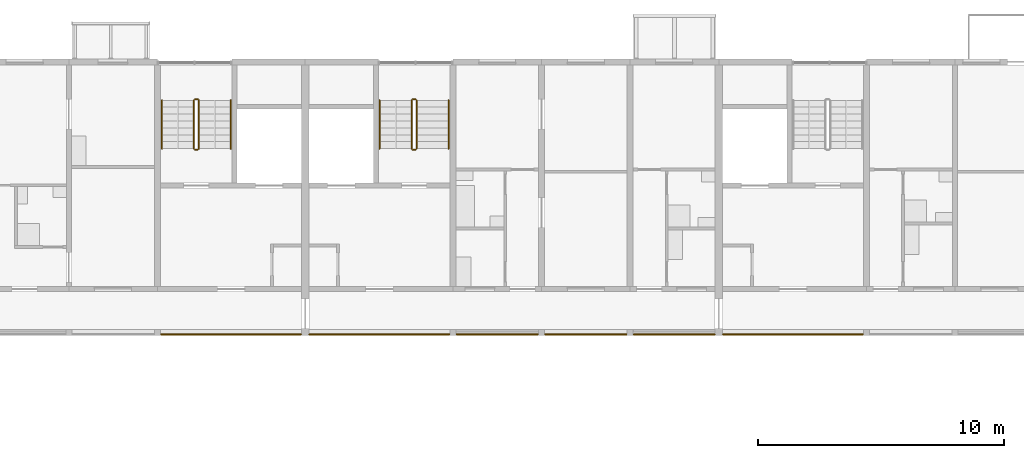
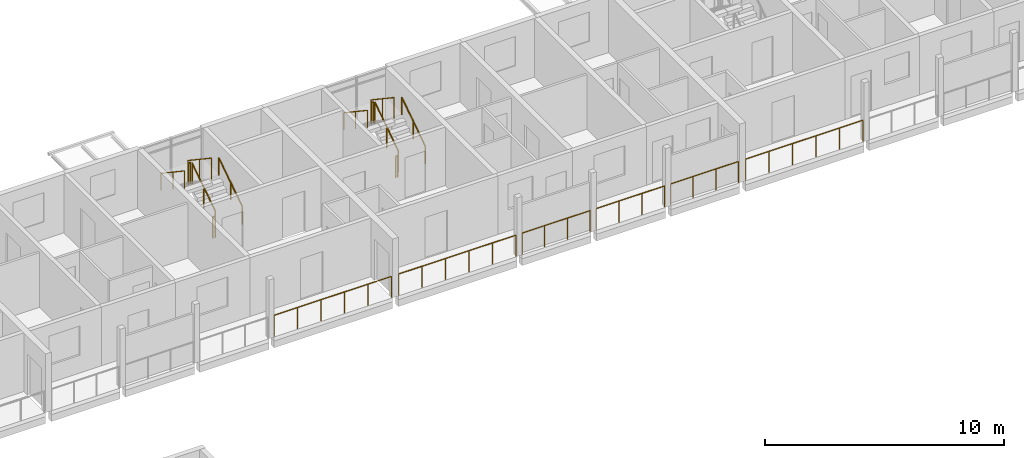
# One storey, part 110 of 115: 18 railings.
"""IFC4 building model written with IfcOpenShell, lengths in metres."""

from ifc_helpers import new_model, si_unit, direction, frame, origin, origin_2d, place, context, subcontext, project, spatial, circle, extrude, material, type_object, element, save


model = new_model("IFC4")

# Units and contexts
model_context = context("Model", 3, precision=1e-05, world=origin(), true_north=direction((0.0, 1.0)))
body_context = subcontext(model_context, "Body", "Model", "MODEL_VIEW")
ifc_project = project(units=[si_unit("LENGTHUNIT", "METRE"), si_unit("AREAUNIT", "SQUARE_METRE"), si_unit("VOLUMEUNIT", "CUBIC_METRE"), si_unit("PLANEANGLEUNIT", "RADIAN"), si_unit("MASSUNIT", "GRAM", prefix="KILO")], contexts=[model_context])

# Site, building, storey
site_placement = place(None, origin())
site = spatial("IfcSite", under=ifc_project, at=site_placement, CompositionType="ELEMENT")
building_placement = place(site_placement, origin())
building = spatial("IfcBuilding", under=site, at=building_placement, Name="Ridgestep Commons", CompositionType="ELEMENT")
storey_placement = place(building_placement, frame((0.0, 0.0, 6.0)))
storey = spatial("IfcBuildingStorey", under=building, at=storey_placement, Name="L02", CompositionType="ELEMENT", Elevation=6.0)

# Railings
ifc_material_1 = material(Name="Structural steel S355JR", Category="steel")
railing_type_1 = type_object("IfcRailingType", Name="Guard 1100", PredefinedType="GUARDRAIL", material=ifc_material_1)
railing_1_placement = place(storey_placement, frame((174.5458984375, 66.050048828125, 0.0)))
element("IfcRailing", 1, at=railing_1_placement, inside=storey, type_object=railing_type_1, Name="Gallery guard C 02.8", PredefinedType="GUARDRAIL", context=body_context, shape_type="SweptSolid", body=[
    extrude(circle(Radius=0.02392578125, at=origin_2d()), frame((0.0, 0.0, 1.076171875), z_axis=(1.0, 0.0, 0.0), x_axis=(0.0, 1.0, 0.0)), (0.0, 0.0, 1.0), 5.68310546875),
    extrude(circle(Radius=0.02099609375, at=origin_2d()), origin(), (0.0, 0.0, 1.0), 1.052001953125),
    extrude(circle(Radius=0.02099609375, at=origin_2d()), frame((1.13671875, 0.0, 0.0)), (0.0, 0.0, 1.0), 1.052001953125),
    extrude(circle(Radius=0.02099609375, at=origin_2d()), frame((2.273193359375, 0.0, 0.0)), (0.0, 0.0, 1.0), 1.052001953125),
    extrude(circle(Radius=0.02099609375, at=origin_2d()), frame((3.409912109375, 0.0, 0.0)), (0.0, 0.0, 1.0), 1.052001953125),
    extrude(circle(Radius=0.02099609375, at=origin_2d()), frame((4.54638671875, 0.0, 0.0)), (0.0, 0.0, 1.0), 1.052001953125),
    extrude(circle(Radius=0.02099609375, at=origin_2d()), frame((5.68310546875, 0.0, 0.0)), (0.0, 0.0, 1.0), 1.052001953125),
])
railing_2_placement = place(storey_placement, frame((180.571044921875, 66.050048828125, 0.0)))
element("IfcRailing", 2, at=railing_2_placement, inside=storey, type_object=railing_type_1, Name="Gallery guard C 02.9", PredefinedType="GUARDRAIL", context=body_context, shape_type="SweptSolid", body=[
    extrude(circle(Radius=0.02392578125, at=origin_2d()), frame((0.0, 0.0, 1.076171875), z_axis=(1.0, 0.0, 0.0), x_axis=(0.0, 1.0, 0.0)), (0.0, 0.0, 1.0), 5.682861328125),
    extrude(circle(Radius=0.02099609375, at=origin_2d()), origin(), (0.0, 0.0, 1.0), 1.052001953125),
    extrude(circle(Radius=0.02099609375, at=origin_2d()), frame((1.136474609375, 0.0, 0.0)), (0.0, 0.0, 1.0), 1.052001953125),
    extrude(circle(Radius=0.02099609375, at=origin_2d()), frame((2.273193359375, 0.0, 0.0)), (0.0, 0.0, 1.0), 1.052001953125),
    extrude(circle(Radius=0.02099609375, at=origin_2d()), frame((3.40966796875, 0.0, 0.0)), (0.0, 0.0, 1.0), 1.052001953125),
    extrude(circle(Radius=0.02099609375, at=origin_2d()), frame((4.54638671875, 0.0, 0.0)), (0.0, 0.0, 1.0), 1.052001953125),
    extrude(circle(Radius=0.02099609375, at=origin_2d()), frame((5.682861328125, 0.0, 0.0)), (0.0, 0.0, 1.0), 1.052001953125),
])
for number, where, name in (
    (3, (186.5458984375, 66.050048828125, 0.0), "Gallery guard C 02.10"),
    (4, (190.14599609375, 66.050048828125, 0.0), "Gallery guard C 02.11"),
):
    element("IfcRailing", number, at=place(storey_placement, frame(where)), inside=storey, type_object=railing_type_1, Name=name, PredefinedType="GUARDRAIL", context=body_context, shape_type="SweptSolid", body=[
        extrude(circle(Radius=0.02392578125, at=origin_2d()), frame((0.0, 0.0, 1.076171875), z_axis=(1.0, 0.0, 0.0), x_axis=(0.0, 1.0, 0.0)), (0.0, 0.0, 1.0), 3.30810546875),
        extrude(circle(Radius=0.02099609375, at=origin_2d()), origin(), (0.0, 0.0, 1.0), 1.052001953125),
        extrude(circle(Radius=0.02099609375, at=origin_2d()), frame((1.102783203125, 0.0, 0.0)), (0.0, 0.0, 1.0), 1.052001953125),
        extrude(circle(Radius=0.02099609375, at=origin_2d()), frame((2.205322265625, 0.0, 0.0)), (0.0, 0.0, 1.0), 1.052001953125),
        extrude(circle(Radius=0.02099609375, at=origin_2d()), frame((3.30810546875, 0.0, 0.0)), (0.0, 0.0, 1.0), 1.052001953125),
    ])
railing_3_placement = place(storey_placement, frame((193.74609375, 66.050048828125, 0.0)))
element("IfcRailing", 5, at=railing_3_placement, inside=storey, type_object=railing_type_1, Name="Gallery guard C 02.12", PredefinedType="GUARDRAIL", context=body_context, shape_type="SweptSolid", body=[
    extrude(circle(Radius=0.02392578125, at=origin_2d()), frame((0.0, 0.0, 1.076171875), z_axis=(1.0, 0.0, 0.0), x_axis=(0.0, 1.0, 0.0)), (0.0, 0.0, 1.0), 3.282958984375),
    extrude(circle(Radius=0.02099609375, at=origin_2d()), origin(), (0.0, 0.0, 1.0), 1.052001953125),
    extrude(circle(Radius=0.02099609375, at=origin_2d()), frame((1.09423828125, 0.0, 0.0)), (0.0, 0.0, 1.0), 1.052001953125),
    extrude(circle(Radius=0.02099609375, at=origin_2d()), frame((2.188720703125, 0.0, 0.0)), (0.0, 0.0, 1.0), 1.052001953125),
    extrude(circle(Radius=0.02099609375, at=origin_2d()), frame((3.282958984375, 0.0, 0.0)), (0.0, 0.0, 1.0), 1.052001953125),
])
railing_4_placement = place(storey_placement, frame((197.37109375, 66.050048828125, 0.0)))
element("IfcRailing", 6, at=railing_4_placement, inside=storey, type_object=railing_type_1, Name="Gallery guard C 02.13", PredefinedType="GUARDRAIL", context=body_context, shape_type="SweptSolid", body=[
    extrude(circle(Radius=0.02392578125, at=origin_2d()), frame((0.0, 0.0, 1.076171875), z_axis=(1.0, 0.0, 0.0), x_axis=(0.0, 1.0, 0.0)), (0.0, 0.0, 1.0), 5.682861328125),
    extrude(circle(Radius=0.02099609375, at=origin_2d()), origin(), (0.0, 0.0, 1.0), 1.052001953125),
    extrude(circle(Radius=0.02099609375, at=origin_2d()), frame((1.136474609375, 0.0, 0.0)), (0.0, 0.0, 1.0), 1.052001953125),
    extrude(circle(Radius=0.02099609375, at=origin_2d()), frame((2.273193359375, 0.0, 0.0)), (0.0, 0.0, 1.0), 1.052001953125),
    extrude(circle(Radius=0.02099609375, at=origin_2d()), frame((3.40966796875, 0.0, 0.0)), (0.0, 0.0, 1.0), 1.052001953125),
    extrude(circle(Radius=0.02099609375, at=origin_2d()), frame((4.54638671875, 0.0, 0.0)), (0.0, 0.0, 1.0), 1.052001953125),
    extrude(circle(Radius=0.02099609375, at=origin_2d()), frame((5.682861328125, 0.0, 0.0)), (0.0, 0.0, 1.0), 1.052001953125),
])
ifc_material_2 = material(Name="Structural steel S355JR", Category="steel")
railing_type_2 = type_object("IfcRailingType", Name="Stair guard 1100", PredefinedType="GUARDRAIL", material=ifc_material_2)
railing_5_placement = place(storey_placement, frame((176.074951171875, 73.60009765625, 0.1875)))
element("IfcRailing", 7, at=railing_5_placement, inside=storey, type_object=railing_type_2, Name="L02 C2C stair guard 1", PredefinedType="GUARDRAIL", context=body_context, shape_type="SweptSolid", body=[
    extrude(circle(Radius=0.02392578125, at=origin_2d()), frame((0.0, 0.0, 1.076171875), z_axis=(0.0, 0.830902050051, 0.556418712142), x_axis=(-1.0, 0.0, 0.0)), (0.0, 0.0, 1.0), 2.35888671875),
    extrude(circle(Radius=0.02099609375, at=origin_2d()), origin(), (0.0, 0.0, 1.0), 1.052001953125),
    extrude(circle(Radius=0.02099609375, at=origin_2d()), frame((0.0, 0.97998046875, 0.65625)), (0.0, 0.0, 1.0), 1.052001953125),
    extrude(circle(Radius=0.02099609375, at=origin_2d()), frame((0.0, 1.9599609375, 1.3125)), (0.0, 0.0, 1.0), 1.052001953125),
])
railing_6_placement = place(storey_placement, frame((176.02490234375, 75.610107421875, 1.5)))
element("IfcRailing", 8, at=railing_6_placement, inside=storey, type_object=railing_type_2, Name="L02 C2C stair guard 2", PredefinedType="GUARDRAIL", context=body_context, shape_type="SweptSolid", body=[
    extrude(circle(Radius=0.02392578125, at=origin_2d()), frame((0.0, 0.0, 1.076171875), z_axis=(-1.0, 0.0, 0.0), x_axis=(0.0, -1.0, 0.0)), (0.0, 0.0, 1.0), 0.099853515625),
    extrude(circle(Radius=0.02099609375, at=origin_2d()), origin(), (0.0, 0.0, 1.0), 1.052001953125),
    extrude(circle(Radius=0.02099609375, at=origin_2d()), frame((-0.099853515625, 0.0, 0.0)), (0.0, 0.0, 1.0), 1.052001953125),
])
railing_7_placement = place(storey_placement, frame((175.875, 75.56005859375, 1.6875)))
element("IfcRailing", 9, at=railing_7_placement, inside=storey, type_object=railing_type_2, Name="L02 C2C stair guard 3", PredefinedType="GUARDRAIL", context=body_context, shape_type="SweptSolid", body=[
    extrude(circle(Radius=0.02392578125, at=origin_2d()), frame((0.0, 0.0, 1.076171875), z_axis=(0.0, -0.830902050051, 0.556418712142), x_axis=(1.0, 0.0, 0.0)), (0.0, 0.0, 1.0), 2.35888671875),
    extrude(circle(Radius=0.02099609375, at=origin_2d()), origin(), (0.0, 0.0, 1.0), 1.052001953125),
    extrude(circle(Radius=0.02099609375, at=origin_2d()), frame((0.0, -0.97998046875, 0.65625)), (0.0, 0.0, 1.0), 1.052001953125),
    extrude(circle(Radius=0.02099609375, at=origin_2d()), frame((0.0, -1.9599609375, 1.3125)), (0.0, 0.0, 1.0), 1.052001953125),
])
railing_8_placement = place(storey_placement, frame((176.02490234375, 73.550048828125, 0.0)))
element("IfcRailing", 10, at=railing_8_placement, inside=storey, type_object=railing_type_2, Name="L02 C2C stair guard 4", PredefinedType="GUARDRAIL", context=body_context, shape_type="SweptSolid", body=[
    extrude(circle(Radius=0.02392578125, at=origin_2d()), frame((0.0, 0.0, 1.076171875), z_axis=(-1.0, 0.0, 0.0), x_axis=(0.0, -1.0, 0.0)), (0.0, 0.0, 1.0), 0.099853515625),
    extrude(circle(Radius=0.02099609375, at=origin_2d()), origin(), (0.0, 0.0, 1.0), 1.052001953125),
    extrude(circle(Radius=0.02099609375, at=origin_2d()), frame((-0.099853515625, 0.0, 0.0)), (0.0, 0.0, 1.0), 1.052001953125),
])
railing_9_placement = place(storey_placement, frame((184.925048828125, 73.60009765625, 0.1875)))
element("IfcRailing", 11, at=railing_9_placement, inside=storey, type_object=railing_type_2, Name="L02 C3C stair guard 1", PredefinedType="GUARDRAIL", context=body_context, shape_type="SweptSolid", body=[
    extrude(circle(Radius=0.02392578125, at=origin_2d()), frame((0.0, 0.0, 1.076171875), z_axis=(0.0, 0.830902050051, 0.556418712142), x_axis=(-1.0, 0.0, 0.0)), (0.0, 0.0, 1.0), 2.35888671875),
    extrude(circle(Radius=0.02099609375, at=origin_2d()), origin(), (0.0, 0.0, 1.0), 1.052001953125),
    extrude(circle(Radius=0.02099609375, at=origin_2d()), frame((0.0, 0.97998046875, 0.65625)), (0.0, 0.0, 1.0), 1.052001953125),
    extrude(circle(Radius=0.02099609375, at=origin_2d()), frame((0.0, 1.9599609375, 1.3125)), (0.0, 0.0, 1.0), 1.052001953125),
])
railing_10_placement = place(storey_placement, frame((184.875, 75.610107421875, 1.5)))
element("IfcRailing", 12, at=railing_10_placement, inside=storey, type_object=railing_type_2, Name="L02 C3C stair guard 2", PredefinedType="GUARDRAIL", context=body_context, shape_type="SweptSolid", body=[
    extrude(circle(Radius=0.02392578125, at=origin_2d()), frame((0.0, 0.0, 1.076171875), z_axis=(-1.0, 0.0, 0.0), x_axis=(0.0, -1.0, 0.0)), (0.0, 0.0, 1.0), 0.10009765625),
    extrude(circle(Radius=0.02099609375, at=origin_2d()), origin(), (0.0, 0.0, 1.0), 1.052001953125),
    extrude(circle(Radius=0.02099609375, at=origin_2d()), frame((-0.10009765625, 0.0, 0.0)), (0.0, 0.0, 1.0), 1.052001953125),
])
railing_11_placement = place(storey_placement, frame((184.72509765625, 75.56005859375, 1.6875)))
element("IfcRailing", 13, at=railing_11_placement, inside=storey, type_object=railing_type_2, Name="L02 C3C stair guard 3", PredefinedType="GUARDRAIL", context=body_context, shape_type="SweptSolid", body=[
    extrude(circle(Radius=0.02392578125, at=origin_2d()), frame((0.0, 0.0, 1.076171875), z_axis=(0.0, -0.830902050051, 0.556418712142), x_axis=(1.0, 0.0, 0.0)), (0.0, 0.0, 1.0), 2.35888671875),
    extrude(circle(Radius=0.02099609375, at=origin_2d()), origin(), (0.0, 0.0, 1.0), 1.052001953125),
    extrude(circle(Radius=0.02099609375, at=origin_2d()), frame((0.0, -0.97998046875, 0.65625)), (0.0, 0.0, 1.0), 1.052001953125),
    extrude(circle(Radius=0.02099609375, at=origin_2d()), frame((0.0, -1.9599609375, 1.3125)), (0.0, 0.0, 1.0), 1.052001953125),
])
railing_12_placement = place(storey_placement, frame((184.875, 73.550048828125, 0.0)))
element("IfcRailing", 14, at=railing_12_placement, inside=storey, type_object=railing_type_2, Name="L02 C3C stair guard 4", PredefinedType="GUARDRAIL", context=body_context, shape_type="SweptSolid", body=[
    extrude(circle(Radius=0.02392578125, at=origin_2d()), frame((0.0, 0.0, 1.076171875), z_axis=(-1.0, 0.0, 0.0), x_axis=(0.0, -1.0, 0.0)), (0.0, 0.0, 1.0), 0.10009765625),
    extrude(circle(Radius=0.02099609375, at=origin_2d()), origin(), (0.0, 0.0, 1.0), 1.052001953125),
    extrude(circle(Radius=0.02099609375, at=origin_2d()), frame((-0.10009765625, 0.0, 0.0)), (0.0, 0.0, 1.0), 1.052001953125),
])
ifc_material_3 = material(Name="Structural steel S355JR", Category="steel")
railing_type_3 = type_object("IfcRailingType", Name="Stair handrail 900", PredefinedType="HANDRAIL", material=ifc_material_3)
railing_13_placement = place(storey_placement, frame((177.375, 73.60009765625, 0.1875)))
element("IfcRailing", 15, at=railing_13_placement, inside=storey, type_object=railing_type_3, Name="L02 C2C stair handrail 1", PredefinedType="HANDRAIL", context=body_context, shape_type="SweptSolid", body=[
    extrude(circle(Radius=0.02392578125, at=origin_2d()), frame((0.0, 0.0, 0.8759765625), z_axis=(0.0, 0.830902050051, 0.556418712142), x_axis=(-1.0, 0.0, 0.0)), (0.0, 0.0, 1.0), 2.35888671875),
    extrude(circle(Radius=0.02099609375, at=origin_2d()), origin(), (0.0, 0.0, 1.0), 0.851806640625),
    extrude(circle(Radius=0.02099609375, at=origin_2d()), frame((0.0, 0.97998046875, 0.65625)), (0.0, 0.0, 1.0), 0.851806640625),
    extrude(circle(Radius=0.02099609375, at=origin_2d()), frame((0.0, 1.9599609375, 1.3125)), (0.0, 0.0, 1.0), 0.851806640625),
])
railing_14_placement = place(storey_placement, frame((174.574951171875, 75.56005859375, 1.6875)))
element("IfcRailing", 16, at=railing_14_placement, inside=storey, type_object=railing_type_3, Name="L02 C2C stair handrail 2", PredefinedType="HANDRAIL", context=body_context, shape_type="SweptSolid", body=[
    extrude(circle(Radius=0.02392578125, at=origin_2d()), frame((0.0, 0.0, 0.8759765625), z_axis=(0.0, -0.830902050051, 0.556418712142), x_axis=(1.0, 0.0, 0.0)), (0.0, 0.0, 1.0), 2.35888671875),
    extrude(circle(Radius=0.02099609375, at=origin_2d()), origin(), (0.0, 0.0, 1.0), 0.851806640625),
    extrude(circle(Radius=0.02099609375, at=origin_2d()), frame((0.0, -0.97998046875, 0.65625)), (0.0, 0.0, 1.0), 0.851806640625),
    extrude(circle(Radius=0.02099609375, at=origin_2d()), frame((0.0, -1.9599609375, 1.3125)), (0.0, 0.0, 1.0), 0.851806640625),
])
railing_15_placement = place(storey_placement, frame((186.22509765625, 73.60009765625, 0.1875)))
element("IfcRailing", 17, at=railing_15_placement, inside=storey, type_object=railing_type_3, Name="L02 C3C stair handrail 1", PredefinedType="HANDRAIL", context=body_context, shape_type="SweptSolid", body=[
    extrude(circle(Radius=0.02392578125, at=origin_2d()), frame((0.0, 0.0, 0.8759765625), z_axis=(0.0, 0.830902050051, 0.556418712142), x_axis=(-1.0, 0.0, 0.0)), (0.0, 0.0, 1.0), 2.35888671875),
    extrude(circle(Radius=0.02099609375, at=origin_2d()), origin(), (0.0, 0.0, 1.0), 0.851806640625),
    extrude(circle(Radius=0.02099609375, at=origin_2d()), frame((0.0, 0.97998046875, 0.65625)), (0.0, 0.0, 1.0), 0.851806640625),
    extrude(circle(Radius=0.02099609375, at=origin_2d()), frame((0.0, 1.9599609375, 1.3125)), (0.0, 0.0, 1.0), 0.851806640625),
])
railing_16_placement = place(storey_placement, frame((183.425048828125, 75.56005859375, 1.6875)))
element("IfcRailing", 18, at=railing_16_placement, inside=storey, type_object=railing_type_3, Name="L02 C3C stair handrail 2", PredefinedType="HANDRAIL", context=body_context, shape_type="SweptSolid", body=[
    extrude(circle(Radius=0.02392578125, at=origin_2d()), frame((0.0, 0.0, 0.8759765625), z_axis=(0.0, -0.830902050051, 0.556418712142), x_axis=(1.0, 0.0, 0.0)), (0.0, 0.0, 1.0), 2.35888671875),
    extrude(circle(Radius=0.02099609375, at=origin_2d()), origin(), (0.0, 0.0, 1.0), 0.851806640625),
    extrude(circle(Radius=0.02099609375, at=origin_2d()), frame((0.0, -0.97998046875, 0.65625)), (0.0, 0.0, 1.0), 0.851806640625),
    extrude(circle(Radius=0.02099609375, at=origin_2d()), frame((0.0, -1.9599609375, 1.3125)), (0.0, 0.0, 1.0), 0.851806640625),
])

save(model, "model.ifc")
